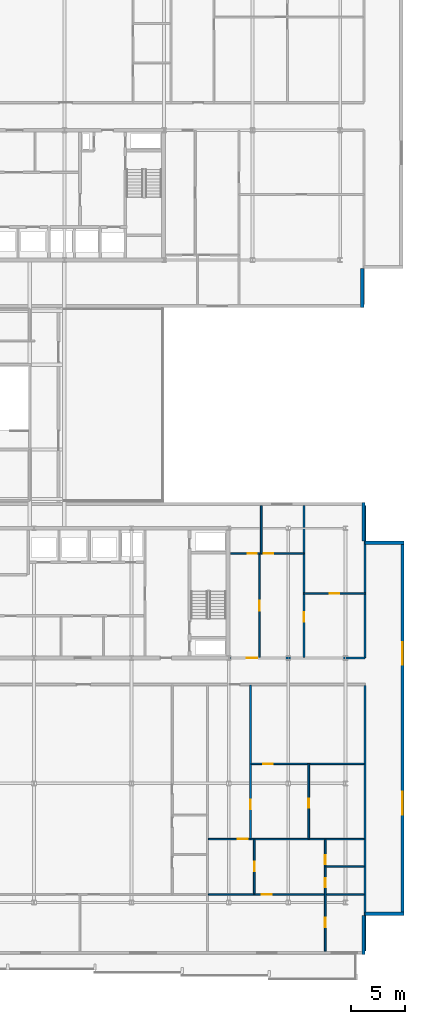
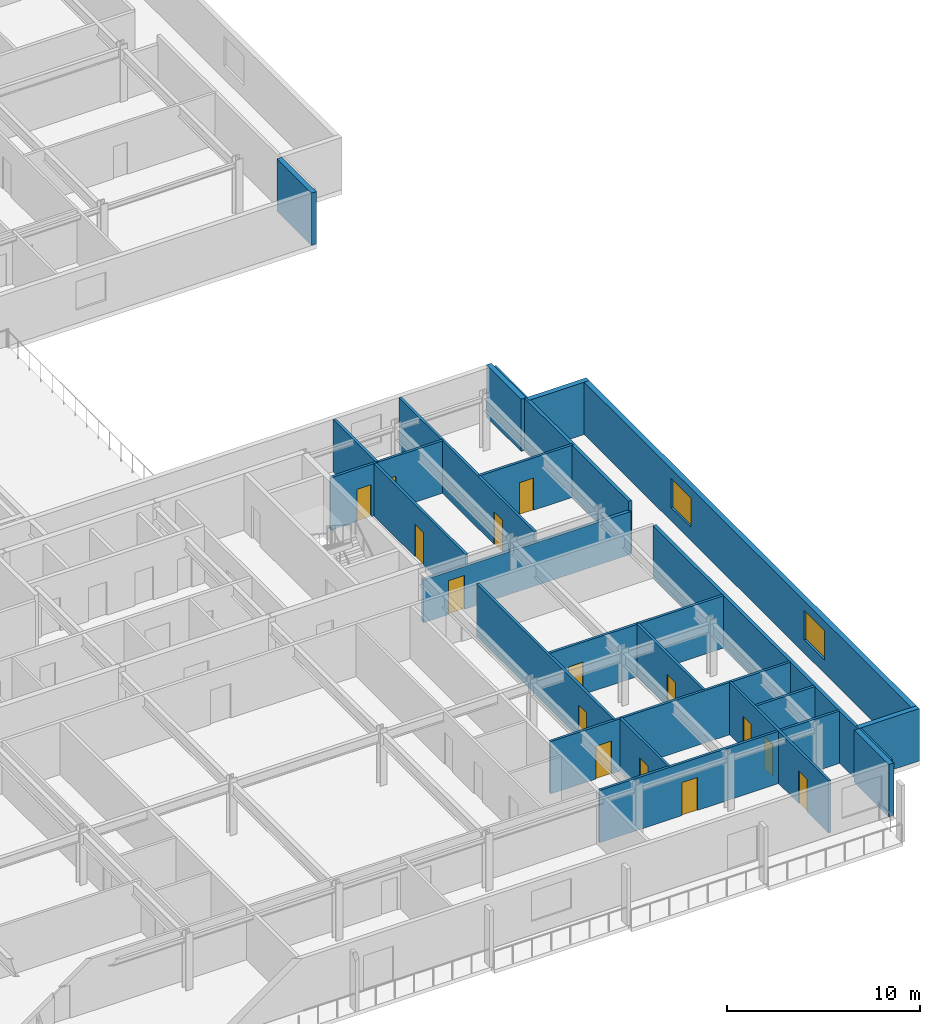
# One storey, part 16 of 28: 22 walls, 15 doors, 2 windows, 17 openings.
"""IFC4 building model written with IfcOpenShell, lengths in metres."""

from ifc_helpers import new_model, si_unit, direction, frame, frame_2d, origin, place, context, subcontext, project, spatial, rectangle, extrude, material, layer, layer_set, type_object, element, fill, save


model = new_model("IFC4")

# Units and contexts
model_context = context("Model", 3, precision=1e-05, world=origin(), true_north=direction((0.0, 1.0)))
body_context = subcontext(model_context, "Body", "Model", "MODEL_VIEW")
ifc_project = project(units=[si_unit("LENGTHUNIT", "METRE"), si_unit("AREAUNIT", "SQUARE_METRE"), si_unit("VOLUMEUNIT", "CUBIC_METRE"), si_unit("PLANEANGLEUNIT", "RADIAN"), si_unit("MASSUNIT", "GRAM", prefix="KILO")], contexts=[model_context])

# Site, building, storey
site_placement = place(None, origin())
site = spatial("IfcSite", under=ifc_project, at=site_placement, CompositionType="ELEMENT")
building_placement = place(site_placement, origin())
building = spatial("IfcBuilding", under=site, at=building_placement, Name="Korimba Cascade Residences", CompositionType="ELEMENT")
storey_placement = place(building_placement, frame((0.0, 0.0, 153.699951171875)))
storey = spatial("IfcBuildingStorey", under=building, at=storey_placement, Name="L44", CompositionType="ELEMENT", Elevation=153.699951171875)

# Walls
ifc_material_1 = material(Name="Precast concrete C40/50", Category="concrete")
ifc_layer_1 = layer(ifc_material_1, 0.300048828125)
ifc_layer_set_1 = layer_set([ifc_layer_1], Name="Precast concrete C40/50")
wall_type_1 = type_object("IfcWallType", Name="EW-STONE-300", PredefinedType="STANDARD", material=ifc_layer_set_1)
wall_1_placement = place(storey_placement, frame((130.449951171875, 50.800048828125, 0.0), z_axis=(0.0, 0.0, 1.0), x_axis=(0.0, 1.0, 0.0)))
element("IfcWall", 1, at=wall_1_placement, inside=storey, type_object=wall_type_1, Name="L44 T1 Perimeter Stone Wall E01", PredefinedType="STANDARD", context=body_context, shape_type="SweptSolid", body=[
    extrude(rectangle(XDim=3.599853515625, YDim=0.300048828125, at=frame_2d((1.7998046875, 0.0))), origin(), (0.0, 0.0, 1.0), 3.320068359375),
])
for number, where, z_axis, x_axis, name in (
    (2, (130.550048828125, -9.0, 0.0), (0.0, 0.0, 1.0), (0.0, 1.0, 0.0), "L44 T2 Perimeter Stone Wall E01"),
    (3, (130.699951171875, -5.25, 0.0), (0.0, 0.0, 1.0), (1.0, 0.0, 0.0), "L44 T2 Perimeter Stone Wall E02"),
):
    element("IfcWall", number, at=place(storey_placement, frame(where, z_axis=z_axis, x_axis=x_axis)), inside=storey, type_object=wall_type_1, Name=name, PredefinedType="STANDARD", context=body_context, shape_type="SweptSolid", body=[
        extrude(rectangle(XDim=3.60009765625, YDim=0.300048828125, at=frame_2d((1.800048828125, 0.0))), origin(), (0.0, 0.0, 1.0), 3.320068359375),
    ])

# Wall, openings, windows
wall_2_placement = place(storey_placement, frame((134.14990234375, -5.39990234375, 0.0), z_axis=(0.0, 0.0, 1.0), x_axis=(0.0, 1.0, 0.0)))
wall_2 = element("IfcWall", 4, at=wall_2_placement, inside=storey, type_object=wall_type_1, Name="L44 T2 Perimeter Stone Wall E03", PredefinedType="STANDARD", context=body_context, shape_type="SweptSolid", body=[
    extrude(rectangle(XDim=34.599853515625, YDim=0.300048828125, at=frame_2d((17.2998046875, 0.0))), origin(), (0.0, 0.0, 1.0), 3.320068359375),
])
opening_1_placement = place(wall_2_placement, frame((9.330078125, 0.0, 0.85009765625)))
opening_1 = element("IfcOpeningElement", 5, at=opening_1_placement, cuts=wall_2, Name="Opening W-03", PredefinedType="OPENING", context=body_context, shape_type="SweptSolid", body=[
    extrude(rectangle(XDim=2.10009765625, YDim=1.85009765625, at=frame_2d((1.050048828125, 0.925048828125))), frame((0.0, 0.16015625, 0.0), z_axis=(0.0, -1.0, 0.0), x_axis=(1.0, 0.0, 0.0)), (0.0, 0.0, 1.0), 0.320068359375),
])
opening_2_placement = place(wall_2_placement, frame((23.169921875, 0.0, 0.85009765625)))
opening_2 = element("IfcOpeningElement", 6, at=opening_2_placement, cuts=wall_2, Name="Opening W-03", PredefinedType="OPENING", context=body_context, shape_type="SweptSolid", body=[
    extrude(rectangle(XDim=2.10009765625, YDim=1.85009765625, at=frame_2d((1.050048828125, 0.925048828125))), frame((0.0, 0.16015625, 0.0), z_axis=(0.0, -1.0, 0.0), x_axis=(1.0, 0.0, 0.0)), (0.0, 0.0, 1.0), 0.320068359375),
])
ifc_material_2 = material(Name="Double-Glazed Aluminium Window", Category="aluminium")
window_type = type_object("IfcWindowType", Name="WIN-CRN-2100", PartitioningType="DOUBLE_PANEL_HORIZONTAL", PredefinedType="WINDOW", material=ifc_material_2)
window_1_placement = place(opening_1_placement, origin())
window_1 = element("IfcWindow", 7, at=window_1_placement, inside=storey, type_object=window_type, Name="L44 T2 End View Window 3.1", OverallHeight=1.85009765625, OverallWidth=2.10009765625, PartitioningType="DOUBLE_PANEL_HORIZONTAL", PredefinedType="WINDOW", context=body_context, shape_type="SweptSolid", body=[
    extrude(rectangle(XDim=2.10009765625, YDim=1.85009765625, at=frame_2d((1.050048828125, 0.925048828125))), frame((0.0, 0.030029296875, 0.0), z_axis=(0.0, -1.0, 0.0), x_axis=(1.0, 0.0, 0.0)), (0.0, 0.0, 1.0), 0.06005859375),
])
fill(opening_1, window_1)
window_2_placement = place(opening_2_placement, origin())
window_2 = element("IfcWindow", 8, at=window_2_placement, inside=storey, type_object=window_type, Name="L44 T2 End View Window 3.2", OverallHeight=1.85009765625, OverallWidth=2.10009765625, PartitioningType="DOUBLE_PANEL_HORIZONTAL", PredefinedType="WINDOW", context=body_context, shape_type="SweptSolid", body=[
    extrude(rectangle(XDim=2.10009765625, YDim=1.85009765625, at=frame_2d((1.050048828125, 0.925048828125))), frame((0.0, 0.030029296875, 0.0), z_axis=(0.0, -1.0, 0.0), x_axis=(1.0, 0.0, 0.0)), (0.0, 0.0, 1.0), 0.06005859375),
])
fill(opening_2, window_2)

# Walls
for number, where, z_axis, x_axis, name in (
    (9, (134.300048828125, 29.050048828125, 0.0), (0.0, 0.0, 1.0), (-1.0, 0.0, 0.0), "L44 T2 Perimeter Stone Wall E04"),
    (10, (130.550048828125, 29.199951171875, 0.0), (0.0, 0.0, 1.0), (0.0, 1.0, 0.0), "L44 T2 Perimeter Stone Wall E05"),
):
    element("IfcWall", number, at=place(storey_placement, frame(where, z_axis=z_axis, x_axis=x_axis)), inside=storey, type_object=wall_type_1, Name=name, PredefinedType="STANDARD", context=body_context, shape_type="SweptSolid", body=[
        extrude(rectangle(XDim=3.60009765625, YDim=0.300048828125, at=frame_2d((1.800048828125, 0.0))), origin(), (0.0, 0.0, 1.0), 3.320068359375),
    ])
ifc_layer_2 = layer(ifc_material_1, 0.199951171875)
ifc_layer_set_2 = layer_set([ifc_layer_2], Name="Precast concrete C40/50")
wall_type_2 = type_object("IfcWallType", Name="WAL-IT-200", PredefinedType="PARTITIONING", material=ifc_layer_set_2)
wall_3_placement = place(storey_placement, frame((130.699951171875, 18.39990234375, 0.0), z_axis=(0.0, 0.0, 1.0), x_axis=(0.0, 1.0, 0.0)))
element("IfcWall", 11, at=wall_3_placement, inside=storey, type_object=wall_type_2, Name="L44 Partition Wall WAL-L44-T2-FE-WR", PredefinedType="PARTITIONING", context=body_context, shape_type="SweptSolid", body=[
    extrude(rectangle(XDim=14.10009765625, YDim=0.199951171875, at=frame_2d((7.050048828125, 0.0))), origin(), (0.0, 0.0, 1.0), 3.320068359375),
])

# Wall, opening, door
wall_4_placement = place(storey_placement, frame((118.25, 18.39990234375, 0.0), z_axis=(0.0, 0.0, 1.0), x_axis=(1.0, 0.0, 0.0)))
wall_4 = element("IfcWall", 12, at=wall_4_placement, inside=storey, type_object=wall_type_2, Name="L44 Partition Wall WAL-L44-T2-FE-S", PredefinedType="PARTITIONING", context=body_context, shape_type="SweptSolid", body=[
    extrude(rectangle(XDim=12.449951171875, YDim=0.199951171875, at=frame_2d((6.22509765625, 0.0))), origin(), (0.0, 0.0, 1.0), 2.707763671875),
])
opening_3_placement = place(wall_4_placement, frame((1.510009765625, 0.0, 0.0)))
opening_3 = element("IfcOpeningElement", 13, at=opening_3_placement, cuts=wall_4, Name="Opening D-UN1", PredefinedType="OPENING", context=body_context, shape_type="SweptSolid", body=[
    extrude(rectangle(XDim=0.949951171875, YDim=2.14990234375, at=frame_2d((0.47509765625, 1.074951171875))), frame((0.0, 0.10986328125, 0.0), z_axis=(0.0, -1.0, 0.0), x_axis=(1.0, 0.0, 0.0)), (0.0, 0.0, 1.0), 0.219970703125),
])
ifc_material_3 = material(Name="Fire-Rated Hardwood Apartment Entrance Door", Category="wood")
door_type_1 = type_object("IfcDoorType", Name="DR-FD60-950", OperationType="NOTDEFINED", PredefinedType="DOOR", material=ifc_material_3)
door_1_placement = place(opening_3_placement, origin())
door_1 = element("IfcDoor", 14, at=door_1_placement, inside=storey, type_object=door_type_1, Name="L44-T2-FE Entrance Door", OperationType="SINGLE_SWING_RIGHT", OverallHeight=2.14990234375, OverallWidth=0.949951171875, PredefinedType="DOOR", context=body_context, shape_type="SweptSolid", body=[
    extrude(rectangle(XDim=0.949951171875, YDim=2.14990234375, at=frame_2d((0.47509765625, 1.074951171875))), frame((0.0, 0.02490234375, 0.0), z_axis=(0.0, -1.0, 0.0), x_axis=(1.0, 0.0, 0.0)), (0.0, 0.0, 1.0), 0.050048828125),
])
fill(opening_3, door_1)

# Wall
wall_5_placement = place(storey_placement, frame((130.699951171875, -8.699951171875, 0.0), z_axis=(0.0, 0.0, 1.0), x_axis=(0.0, 1.0, 0.0)))
element("IfcWall", 15, at=wall_5_placement, inside=storey, type_object=wall_type_2, Name="L44 Partition Wall WAL-L44-T2-BNDWR", PredefinedType="PARTITIONING", context=body_context, shape_type="SweptSolid", body=[
    extrude(rectangle(XDim=24.570068359375, YDim=0.199951171875, at=frame_2d((12.28515625, 0.0))), origin(), (0.0, 0.0, 1.0), 3.320068359375),
])

# Wall, opening, door
ifc_material_4 = material(Name="Insulated Acoustic Stud Partition", Category="gypsum")
ifc_layer_3 = layer(ifc_material_4, 0.14990234375)
ifc_layer_set_3 = layer_set([ifc_layer_3], Name="Insulated Acoustic Stud Partition")
wall_type_3 = type_object("IfcWallType", Name="WAL-PART-150", PredefinedType="PARTITIONING", material=ifc_layer_set_3)
wall_6_placement = place(storey_placement, frame((125.050048828125, 24.35009765625, 0.0), z_axis=(0.0, 0.0, 1.0), x_axis=(1.0, 0.0, 0.0)))
wall_6 = element("IfcWall", 16, at=wall_6_placement, inside=storey, type_object=wall_type_3, Name="L44 Partition Wall WAL-L44-T2-FE-STH", PredefinedType="PARTITIONING", context=body_context, shape_type="SweptSolid", body=[
    extrude(rectangle(XDim=5.64990234375, YDim=0.14990234375, at=frame_2d((2.824951171875, 0.0))), origin(), (0.0, 0.0, 1.0), 3.320068359375),
])
opening_4_placement = place(wall_6_placement, frame((2.405029296875, 0.0, 0.0)))
opening_4 = element("IfcOpeningElement", 17, at=opening_4_placement, cuts=wall_6, Name="Opening D-BT1", PredefinedType="OPENING", context=body_context, shape_type="SweptSolid", body=[
    extrude(rectangle(XDim=0.840087890625, YDim=2.0400390625, at=frame_2d((0.419921875, 1.02001953125))), frame((0.0, 0.0849609375, 0.0), z_axis=(0.0, -1.0, 0.0), x_axis=(1.0, 0.0, 0.0)), (0.0, 0.0, 1.0), 0.169921875),
])
ifc_material_5 = material(Name="Moisture-Resistant Bathroom Timber Door", Category="wood")
door_type_2 = type_object("IfcDoorType", Name="DR-INT-850", OperationType="NOTDEFINED", PredefinedType="DOOR", material=ifc_material_5)
door_2_placement = place(opening_4_placement, origin())
door_2 = element("IfcDoor", 18, at=door_2_placement, inside=storey, type_object=door_type_2, Name="L44-T2-FE Dressing Store Door", OperationType="SINGLE_SWING_LEFT", OverallHeight=2.0400390625, OverallWidth=0.840087890625, PredefinedType="DOOR", context=body_context, shape_type="SweptSolid", body=[
    extrude(rectangle(XDim=0.840087890625, YDim=2.0400390625, at=frame_2d((0.419921875, 1.02001953125))), frame((0.0, 0.02490234375, 0.0), z_axis=(0.0, -1.0, 0.0), x_axis=(1.0, 0.0, 0.0)), (0.0, 0.0, 1.0), 0.050048828125),
])
fill(opening_4, door_2)

wall_7_placement = place(storey_placement, frame((125.050048828125, 18.449951171875, 0.0), z_axis=(0.0, 0.0, 1.0), x_axis=(0.0, 1.0, 0.0)))
wall_7 = element("IfcWall", 19, at=wall_7_placement, inside=storey, type_object=wall_type_3, Name="L44 Partition Wall WAL-L44-T2-FE-STV", PredefinedType="PARTITIONING", context=body_context, shape_type="SweptSolid", body=[
    extrude(rectangle(XDim=14.050048828125, YDim=0.14990234375, at=frame_2d((7.02490234375, 0.0))), origin(), (0.0, 0.0, 1.0), 3.320068359375),
])
opening_5_placement = place(wall_7_placement, frame((3.320068359375, 0.0, 0.0)))
opening_5 = element("IfcOpeningElement", 20, at=opening_5_placement, cuts=wall_7, Name="Opening D-IN2", PredefinedType="OPENING", context=body_context, shape_type="SweptSolid", body=[
    extrude(rectangle(XDim=0.8798828125, YDim=2.06005859375, at=frame_2d((0.43994140625, 1.030029296875))), frame((0.0, 0.0849609375, 0.0), z_axis=(0.0, -1.0, 0.0), x_axis=(1.0, 0.0, 0.0)), (0.0, 0.0, 1.0), 0.169921875),
])
ifc_material_6 = material(Name="Acoustic Timber Bedroom Door", Category="wood")
door_type_3 = type_object("IfcDoorType", Name="DR-INT-880", OperationType="NOTDEFINED", PredefinedType="DOOR", material=ifc_material_6)
door_3_placement = place(opening_5_placement, origin())
door_3 = element("IfcDoor", 21, at=door_3_placement, inside=storey, type_object=door_type_3, Name="L44-T2-FE Study Door", OperationType="SINGLE_SWING_RIGHT", OverallHeight=2.06005859375, OverallWidth=0.8798828125, PredefinedType="DOOR", context=body_context, shape_type="SweptSolid", body=[
    extrude(rectangle(XDim=0.8798828125, YDim=2.06005859375, at=frame_2d((0.43994140625, 1.030029296875))), frame((0.0, 0.02490234375, 0.0), z_axis=(0.0, -1.0, 0.0), x_axis=(1.0, 0.0, 0.0)), (0.0, 0.0, 1.0), 0.050048828125),
])
fill(opening_5, door_3)

wall_8_placement = place(storey_placement, frame((120.929931640625, 18.449951171875, 0.0), z_axis=(0.0, 0.0, 1.0), x_axis=(0.0, 1.0, 0.0)))
wall_8 = element("IfcWall", 22, at=wall_8_placement, inside=storey, type_object=wall_type_3, Name="L44 Partition Wall WAL-L44-T2-FE-VS", PredefinedType="PARTITIONING", context=body_context, shape_type="SweptSolid", body=[
    extrude(rectangle(XDim=9.60009765625, YDim=0.14990234375, at=frame_2d((4.800048828125, 0.0))), origin(), (0.0, 0.0, 1.0), 3.320068359375),
])
opening_6_placement = place(wall_8_placement, frame((4.340087890625, 0.0, 0.0)))
opening_6 = element("IfcOpeningElement", 23, at=opening_6_placement, cuts=wall_8, Name="Opening D-IN1", PredefinedType="OPENING", context=body_context, shape_type="SweptSolid", body=[
    extrude(rectangle(XDim=0.919921875, YDim=2.080078125, at=frame_2d((0.4599609375, 1.0400390625))), frame((0.0, 0.0849609375, 0.0), z_axis=(0.0, -1.0, 0.0), x_axis=(1.0, 0.0, 0.0)), (0.0, 0.0, 1.0), 0.169921875),
])
ifc_material_7 = material(Name="Acoustic Timber Living Door", Category="wood")
door_type_4 = type_object("IfcDoorType", Name="DR-INT-920", OperationType="NOTDEFINED", PredefinedType="DOOR", material=ifc_material_7)
door_4_placement = place(opening_6_placement, origin())
door_4 = element("IfcDoor", 24, at=door_4_placement, inside=storey, type_object=door_type_4, Name="L44-T2-FE Living Door", OperationType="SINGLE_SWING_LEFT", OverallHeight=2.080078125, OverallWidth=0.919921875, PredefinedType="DOOR", context=body_context, shape_type="SweptSolid", body=[
    extrude(rectangle(XDim=0.919921875, YDim=2.080078125, at=frame_2d((0.4599609375, 1.0400390625))), frame((0.0, 0.02490234375, 0.0), z_axis=(0.0, -1.0, 0.0), x_axis=(1.0, 0.0, 0.0)), (0.0, 0.0, 1.0), 0.050048828125),
])
fill(opening_6, door_4)

# Wall
wall_9_placement = place(storey_placement, frame((121.10009765625, 28.050048828125, 0.0), z_axis=(0.0, 0.0, 1.0), x_axis=(0.0, 1.0, 0.0)))
element("IfcWall", 25, at=wall_9_placement, inside=storey, type_object=wall_type_3, Name="L44 Partition Wall WAL-L44-T2-FE-VN", PredefinedType="PARTITIONING", context=body_context, shape_type="SweptSolid", body=[
    extrude(rectangle(XDim=4.449951171875, YDim=0.14990234375, at=frame_2d((2.22509765625, 0.0))), origin(), (0.0, 0.0, 1.0), 3.320068359375),
])

# Wall, openings, doors
wall_10_placement = place(storey_placement, frame((118.27001953125, 28.050048828125, 0.0), z_axis=(0.0, 0.0, 1.0), x_axis=(1.0, 0.0, 0.0)))
wall_10 = element("IfcWall", 26, at=wall_10_placement, inside=storey, type_object=wall_type_3, Name="L44 Partition Wall WAL-L44-T2-FE-H", PredefinedType="PARTITIONING", context=body_context, shape_type="SweptSolid", body=[
    extrude(rectangle(XDim=6.760009765625, YDim=0.14990234375, at=frame_2d((3.3798828125, 0.0))), origin(), (0.0, 0.0, 1.0), 3.320068359375),
])
opening_7_placement = place(wall_10_placement, frame((1.58740234375, 0.0, 0.0)))
opening_7 = element("IfcOpeningElement", 27, at=opening_7_placement, cuts=wall_10, Name="Opening D-BT1", PredefinedType="OPENING", context=body_context, shape_type="SweptSolid", body=[
    extrude(rectangle(XDim=0.840087890625, YDim=2.0400390625, at=frame_2d((0.419921875, 1.02001953125))), frame((0.0, 0.0849609375, 0.0), z_axis=(0.0, -1.0, 0.0), x_axis=(1.0, 0.0, 0.0)), (0.0, 0.0, 1.0), 0.169921875),
])
opening_8_placement = place(wall_10_placement, frame((3.0419921875, 0.0, 0.0)))
opening_8 = element("IfcOpeningElement", 28, at=opening_8_placement, cuts=wall_10, Name="Opening D-IN2", PredefinedType="OPENING", context=body_context, shape_type="SweptSolid", body=[
    extrude(rectangle(XDim=0.8798828125, YDim=2.06005859375, at=frame_2d((0.43994140625, 1.030029296875))), frame((0.0, 0.0849609375, 0.0), z_axis=(0.0, -1.0, 0.0), x_axis=(1.0, 0.0, 0.0)), (0.0, 0.0, 1.0), 0.169921875),
])
door_5_placement = place(opening_7_placement, origin())
door_5 = element("IfcDoor", 29, at=door_5_placement, inside=storey, type_object=door_type_2, Name="L44-T2-FE Bathroom Door", OperationType="SINGLE_SWING_RIGHT", OverallHeight=2.0400390625, OverallWidth=0.840087890625, PredefinedType="DOOR", context=body_context, shape_type="SweptSolid", body=[
    extrude(rectangle(XDim=0.840087890625, YDim=2.0400390625, at=frame_2d((0.419921875, 1.02001953125))), frame((0.0, 0.02490234375, 0.0), z_axis=(0.0, -1.0, 0.0), x_axis=(1.0, 0.0, 0.0)), (0.0, 0.0, 1.0), 0.050048828125),
])
fill(opening_7, door_5)
door_6_placement = place(opening_8_placement, origin())
door_6 = element("IfcDoor", 30, at=door_6_placement, inside=storey, type_object=door_type_3, Name="L44-T2-FE Bedroom Door", OperationType="SINGLE_SWING_LEFT", OverallHeight=2.06005859375, OverallWidth=0.8798828125, PredefinedType="DOOR", context=body_context, shape_type="SweptSolid", body=[
    extrude(rectangle(XDim=0.8798828125, YDim=2.06005859375, at=frame_2d((0.43994140625, 1.030029296875))), frame((0.0, 0.02490234375, 0.0), z_axis=(0.0, -1.0, 0.0), x_axis=(1.0, 0.0, 0.0)), (0.0, 0.0, 1.0), 0.050048828125),
])
fill(opening_8, door_6)

# Wall, opening, door
wall_11_placement = place(storey_placement, frame((125.493896484375, 1.68994140625, 0.0), z_axis=(0.0, 0.0, 1.0), x_axis=(0.0, 1.0, 0.0)))
wall_11 = element("IfcWall", 31, at=wall_11_placement, inside=storey, type_object=wall_type_3, Name="L44 Partition Wall WAL-L44-T2-U03-FMV", PredefinedType="PARTITIONING", context=body_context, shape_type="SweptSolid", body=[
    extrude(rectangle(XDim=6.920166015625, YDim=0.14990234375, at=frame_2d((3.4599609375, 0.0))), origin(), (0.0, 0.0, 1.0), 3.320068359375),
])
opening_9_placement = place(wall_11_placement, frame((2.870849609375, 0.0, 0.0)))
opening_9 = element("IfcOpeningElement", 32, at=opening_9_placement, cuts=wall_11, Name="Opening D-BT1", PredefinedType="OPENING", context=body_context, shape_type="SweptSolid", body=[
    extrude(rectangle(XDim=0.840087890625, YDim=2.0400390625, at=frame_2d((0.419921875, 1.02001953125))), frame((0.0, 0.0849609375, 0.0), z_axis=(0.0, -1.0, 0.0), x_axis=(1.0, 0.0, 0.0)), (0.0, 0.0, 1.0), 0.169921875),
])
door_7_placement = place(opening_9_placement, origin())
door_7 = element("IfcDoor", 33, at=door_7_placement, inside=storey, type_object=door_type_2, Name="L44-T2-U03 Wardrobe Door", OperationType="SINGLE_SWING_RIGHT", OverallHeight=2.0400390625, OverallWidth=0.840087890625, PredefinedType="DOOR", context=body_context, shape_type="SweptSolid", body=[
    extrude(rectangle(XDim=0.840087890625, YDim=2.0400390625, at=frame_2d((0.419921875, 1.02001953125))), frame((0.0, 0.02490234375, 0.0), z_axis=(0.0, -1.0, 0.0), x_axis=(1.0, 0.0, 0.0)), (0.0, 0.0, 1.0), 0.050048828125),
])
fill(opening_9, door_7)

wall_12_placement = place(storey_placement, frame((120.16796875, 8.610107421875, 0.0), z_axis=(0.0, 0.0, 1.0), x_axis=(1.0, 0.0, 0.0)))
wall_12 = element("IfcWall", 34, at=wall_12_placement, inside=storey, type_object=wall_type_3, Name="L44 Partition Wall WAL-L44-T2-U03-FMH", PredefinedType="PARTITIONING", context=body_context, shape_type="SweptSolid", body=[
    extrude(rectangle(XDim=10.4521484375, YDim=0.14990234375, at=frame_2d((5.22607421875, 0.0))), origin(), (0.0, 0.0, 1.0), 3.320068359375),
])
opening_10_placement = place(wall_12_placement, frame((1.125244140625, 0.0, 0.0)))
opening_10 = element("IfcOpeningElement", 35, at=opening_10_placement, cuts=wall_12, Name="Opening D-IN2", PredefinedType="OPENING", context=body_context, shape_type="SweptSolid", body=[
    extrude(rectangle(XDim=0.8798828125, YDim=2.06005859375, at=frame_2d((0.43994140625, 1.030029296875))), frame((0.0, 0.0849609375, 0.0), z_axis=(0.0, -1.0, 0.0), x_axis=(1.0, 0.0, 0.0)), (0.0, 0.0, 1.0), 0.169921875),
])
door_8_placement = place(opening_10_placement, origin())
door_8 = element("IfcDoor", 36, at=door_8_placement, inside=storey, type_object=door_type_3, Name="L44-T2-U03 Library Salon Door", OperationType="SINGLE_SWING_LEFT", OverallHeight=2.06005859375, OverallWidth=0.8798828125, PredefinedType="DOOR", context=body_context, shape_type="SweptSolid", body=[
    extrude(rectangle(XDim=0.8798828125, YDim=2.06005859375, at=frame_2d((0.43994140625, 1.030029296875))), frame((0.0, 0.02490234375, 0.0), z_axis=(0.0, -1.0, 0.0), x_axis=(1.0, 0.0, 0.0)), (0.0, 0.0, 1.0), 0.050048828125),
])
fill(opening_10, door_8)

wall_13_placement = place(storey_placement, frame((120.10791015625, 1.68994140625, 0.0), z_axis=(0.0, 0.0, 1.0), x_axis=(0.0, 1.0, 0.0)))
wall_13 = element("IfcWall", 37, at=wall_13_placement, inside=storey, type_object=wall_type_3, Name="L44 Partition Wall WAL-L44-T2-U03-FV", PredefinedType="PARTITIONING", context=body_context, shape_type="SweptSolid", body=[
    extrude(rectangle(XDim=14.199951171875, YDim=0.14990234375, at=frame_2d((7.10009765625, 0.0))), origin(), (0.0, 0.0, 1.0), 3.320068359375),
])
opening_11_placement = place(wall_13_placement, frame((2.74365234375, 0.0, 0.0)))
opening_11 = element("IfcOpeningElement", 38, at=opening_11_placement, cuts=wall_13, Name="Opening D-IN2", PredefinedType="OPENING", context=body_context, shape_type="SweptSolid", body=[
    extrude(rectangle(XDim=0.8798828125, YDim=2.06005859375, at=frame_2d((0.43994140625, 1.030029296875))), frame((0.0, 0.0849609375, 0.0), z_axis=(0.0, -1.0, 0.0), x_axis=(1.0, 0.0, 0.0)), (0.0, 0.0, 1.0), 0.169921875),
])
door_9_placement = place(opening_11_placement, origin())
door_9 = element("IfcDoor", 39, at=door_9_placement, inside=storey, type_object=door_type_3, Name="L44-T2-U03 Media Lounge Door", OperationType="SINGLE_SWING_RIGHT", OverallHeight=2.06005859375, OverallWidth=0.8798828125, PredefinedType="DOOR", context=body_context, shape_type="SweptSolid", body=[
    extrude(rectangle(XDim=0.8798828125, YDim=2.06005859375, at=frame_2d((0.43994140625, 1.030029296875))), frame((0.0, 0.02490234375, 0.0), z_axis=(0.0, -1.0, 0.0), x_axis=(1.0, 0.0, 0.0)), (0.0, 0.0, 1.0), 0.050048828125),
])
fill(opening_11, door_9)

wall_14_placement = place(storey_placement, frame((120.4580078125, -3.389892578125, 0.0), z_axis=(0.0, 0.0, 1.0), x_axis=(0.0, 1.0, 0.0)))
wall_14 = element("IfcWall", 40, at=wall_14_placement, inside=storey, type_object=wall_type_3, Name="L44 Partition Wall WAL-L44-T2-U03-VDIN", PredefinedType="PARTITIONING", context=body_context, shape_type="SweptSolid", body=[
    extrude(rectangle(XDim=5.0, YDim=0.14990234375, at=frame_2d((2.5, 0.0))), origin(), (0.0, 0.0, 1.0), 3.320068359375),
])
opening_12_placement = place(wall_14_placement, frame((2.06005859375, 0.0, 0.0)))
opening_12 = element("IfcOpeningElement", 41, at=opening_12_placement, cuts=wall_14, Name="Opening D-IN2", PredefinedType="OPENING", context=body_context, shape_type="SweptSolid", body=[
    extrude(rectangle(XDim=0.8798828125, YDim=2.06005859375, at=frame_2d((0.43994140625, 1.030029296875))), frame((0.0, 0.0849609375, 0.0), z_axis=(0.0, -1.0, 0.0), x_axis=(1.0, 0.0, 0.0)), (0.0, 0.0, 1.0), 0.169921875),
])
door_10_placement = place(opening_12_placement, origin())
door_10 = element("IfcDoor", 42, at=door_10_placement, inside=storey, type_object=door_type_3, Name="L44-T2-U03 Dining Room Door", OperationType="SINGLE_SWING_LEFT", OverallHeight=2.06005859375, OverallWidth=0.8798828125, PredefinedType="DOOR", context=body_context, shape_type="SweptSolid", body=[
    extrude(rectangle(XDim=0.8798828125, YDim=2.06005859375, at=frame_2d((0.43994140625, 1.030029296875))), frame((0.0, 0.02490234375, 0.0), z_axis=(0.0, -1.0, 0.0), x_axis=(1.0, 0.0, 0.0)), (0.0, 0.0, 1.0), 0.050048828125),
])
fill(opening_12, door_10)

# Wall
wall_15_placement = place(storey_placement, frame((127.080078125, -0.889892578125, 0.0), z_axis=(0.0, 0.0, 1.0), x_axis=(1.0, 0.0, 0.0)))
element("IfcWall", 43, at=wall_15_placement, inside=storey, type_object=wall_type_3, Name="L44 Partition Wall WAL-L44-T2-U03-BLDIV", PredefinedType="PARTITIONING", context=body_context, shape_type="SweptSolid", body=[
    extrude(rectangle(XDim=3.5400390625, YDim=0.14990234375, at=frame_2d((1.77001953125, 0.0))), origin(), (0.0, 0.0, 1.0), 3.320068359375),
])

# Wall, openings, doors
wall_16_placement = place(storey_placement, frame((127.02001953125, -8.699951171875, 0.0), z_axis=(0.0, 0.0, 1.0), x_axis=(0.0, 1.0, 0.0)))
wall_16 = element("IfcWall", 44, at=wall_16_placement, inside=storey, type_object=wall_type_3, Name="L44 Partition Wall WAL-L44-T2-U03-V1", PredefinedType="PARTITIONING", context=body_context, shape_type="SweptSolid", body=[
    extrude(rectangle(XDim=10.31005859375, YDim=0.14990234375, at=frame_2d((5.155029296875, 0.0))), origin(), (0.0, 0.0, 1.0), 3.320068359375),
])
opening_13_placement = place(wall_16_placement, frame((5.897216796875, 0.0, 0.0)))
opening_13 = element("IfcOpeningElement", 45, at=opening_13_placement, cuts=wall_16, Name="Opening D-BT1", PredefinedType="OPENING", context=body_context, shape_type="SweptSolid", body=[
    extrude(rectangle(XDim=0.840087890625, YDim=2.0400390625, at=frame_2d((0.419921875, 1.02001953125))), frame((0.0, 0.0849609375, 0.0), z_axis=(0.0, -1.0, 0.0), x_axis=(1.0, 0.0, 0.0)), (0.0, 0.0, 1.0), 0.169921875),
])
opening_14_placement = place(wall_16_placement, frame((8.03955078125, 0.0, 0.0)))
opening_14 = element("IfcOpeningElement", 46, at=opening_14_placement, cuts=wall_16, Name="Opening D-BT1", PredefinedType="OPENING", context=body_context, shape_type="SweptSolid", body=[
    extrude(rectangle(XDim=0.840087890625, YDim=2.0400390625, at=frame_2d((0.419921875, 1.02001953125))), frame((0.0, 0.0849609375, 0.0), z_axis=(0.0, -1.0, 0.0), x_axis=(1.0, 0.0, 0.0)), (0.0, 0.0, 1.0), 0.169921875),
])
opening_15_placement = place(wall_16_placement, frame((2.2099609375, 0.0, 0.0)))
opening_15 = element("IfcOpeningElement", 47, at=opening_15_placement, cuts=wall_16, Name="Opening D-IN2", PredefinedType="OPENING", context=body_context, shape_type="SweptSolid", body=[
    extrude(rectangle(XDim=0.8798828125, YDim=2.06005859375, at=frame_2d((0.43994140625, 1.030029296875))), frame((0.0, 0.0849609375, 0.0), z_axis=(0.0, -1.0, 0.0), x_axis=(1.0, 0.0, 0.0)), (0.0, 0.0, 1.0), 0.169921875),
])
door_11_placement = place(opening_13_placement, origin())
door_11 = element("IfcDoor", 48, at=door_11_placement, inside=storey, type_object=door_type_2, Name="L44-T2-U03 Bathroom Door", OperationType="SINGLE_SWING_RIGHT", OverallHeight=2.0400390625, OverallWidth=0.840087890625, PredefinedType="DOOR", context=body_context, shape_type="SweptSolid", body=[
    extrude(rectangle(XDim=0.840087890625, YDim=2.0400390625, at=frame_2d((0.419921875, 1.02001953125))), frame((0.0, 0.02490234375, 0.0), z_axis=(0.0, -1.0, 0.0), x_axis=(1.0, 0.0, 0.0)), (0.0, 0.0, 1.0), 0.050048828125),
])
fill(opening_13, door_11)
door_12_placement = place(opening_14_placement, origin())
door_12 = element("IfcDoor", 49, at=door_12_placement, inside=storey, type_object=door_type_2, Name="L44-T2-U03 Laundry Door", OperationType="SINGLE_SWING_LEFT", OverallHeight=2.0400390625, OverallWidth=0.840087890625, PredefinedType="DOOR", context=body_context, shape_type="SweptSolid", body=[
    extrude(rectangle(XDim=0.840087890625, YDim=2.0400390625, at=frame_2d((0.419921875, 1.02001953125))), frame((0.0, 0.02490234375, 0.0), z_axis=(0.0, -1.0, 0.0), x_axis=(1.0, 0.0, 0.0)), (0.0, 0.0, 1.0), 0.050048828125),
])
fill(opening_14, door_12)
door_13_placement = place(opening_15_placement, origin())
door_13 = element("IfcDoor", 50, at=door_13_placement, inside=storey, type_object=door_type_3, Name="L44-T2-U03 Bedroom 1 Door", OperationType="SINGLE_SWING_RIGHT", OverallHeight=2.06005859375, OverallWidth=0.8798828125, PredefinedType="DOOR", context=body_context, shape_type="SweptSolid", body=[
    extrude(rectangle(XDim=0.8798828125, YDim=2.06005859375, at=frame_2d((0.43994140625, 1.030029296875))), frame((0.0, 0.02490234375, 0.0), z_axis=(0.0, -1.0, 0.0), x_axis=(1.0, 0.0, 0.0)), (0.0, 0.0, 1.0), 0.050048828125),
])
fill(opening_15, door_13)

# Wall, opening, door
wall_17_placement = place(storey_placement, frame((116.218017578125, 1.64990234375, 0.0), z_axis=(0.0, 0.0, 1.0), x_axis=(1.0, 0.0, 0.0)))
wall_17 = element("IfcWall", 51, at=wall_17_placement, inside=storey, type_object=wall_type_3, Name="L44 Partition Wall WAL-L44-T2-U03-MW", PredefinedType="PARTITIONING", context=body_context, shape_type="SweptSolid", body=[
    extrude(rectangle(XDim=14.402099609375, YDim=0.14990234375, at=frame_2d((7.201171875, 0.0))), origin(), (0.0, 0.0, 1.0), 3.320068359375),
])
opening_16_placement = place(wall_17_placement, frame((2.719970703125, 0.0, 0.0)))
opening_16 = element("IfcOpeningElement", 52, at=opening_16_placement, cuts=wall_17, Name="Opening D-IN1", PredefinedType="OPENING", context=body_context, shape_type="SweptSolid", body=[
    extrude(rectangle(XDim=0.919921875, YDim=2.080078125, at=frame_2d((0.4599609375, 1.0400390625))), frame((0.0, 0.0849609375, 0.0), z_axis=(0.0, -1.0, 0.0), x_axis=(1.0, 0.0, 0.0)), (0.0, 0.0, 1.0), 0.169921875),
])
door_14_placement = place(opening_16_placement, origin())
door_14 = element("IfcDoor", 53, at=door_14_placement, inside=storey, type_object=door_type_4, Name="L44-T2-U03 Kitchen Archway Door", OperationType="SINGLE_SWING_LEFT", OverallHeight=2.080078125, OverallWidth=0.919921875, PredefinedType="DOOR", context=body_context, shape_type="SweptSolid", body=[
    extrude(rectangle(XDim=0.919921875, YDim=2.080078125, at=frame_2d((0.4599609375, 1.0400390625))), frame((0.0, 0.02490234375, 0.0), z_axis=(0.0, -1.0, 0.0), x_axis=(1.0, 0.0, 0.0)), (0.0, 0.0, 1.0), 0.050048828125),
])
fill(opening_16, door_14)

wall_18_placement = place(storey_placement, frame((116.218017578125, -3.449951171875, 0.0), z_axis=(0.0, 0.0, 1.0), x_axis=(1.0, 0.0, 0.0)))
wall_18 = element("IfcWall", 54, at=wall_18_placement, inside=storey, type_object=wall_type_3, Name="L44 Partition Wall WAL-L44-T2-U03-HZ", PredefinedType="PARTITIONING", context=body_context, shape_type="SweptSolid", body=[
    extrude(rectangle(XDim=14.402099609375, YDim=0.14990234375, at=frame_2d((7.201171875, 0.0))), origin(), (0.0, 0.0, 1.0), 3.320068359375),
])
opening_17_placement = place(wall_18_placement, frame((4.930908203125, 0.0, 0.0)))
opening_17 = element("IfcOpeningElement", 55, at=opening_17_placement, cuts=wall_18, Name="Opening D-IN0", PredefinedType="OPENING", context=body_context, shape_type="SweptSolid", body=[
    extrude(rectangle(XDim=0.93994140625, YDim=2.10009765625, at=frame_2d((0.469970703125, 1.050048828125))), frame((0.0, 0.0849609375, 0.0), z_axis=(0.0, -1.0, 0.0), x_axis=(1.0, 0.0, 0.0)), (0.0, 0.0, 1.0), 0.169921875),
])
ifc_material_8 = material(Name="Acoustic Timber Living Archway Door", Category="wood")
door_type_5 = type_object("IfcDoorType", Name="DR-INT-950", OperationType="NOTDEFINED", PredefinedType="DOOR", material=ifc_material_8)
door_15_placement = place(opening_17_placement, origin())
door_15 = element("IfcDoor", 56, at=door_15_placement, inside=storey, type_object=door_type_5, Name="L44-T2-U03 Living Archway Door", OperationType="SINGLE_SWING_RIGHT", OverallHeight=2.10009765625, OverallWidth=0.93994140625, PredefinedType="DOOR", context=body_context, shape_type="SweptSolid", body=[
    extrude(rectangle(XDim=0.93994140625, YDim=2.10009765625, at=frame_2d((0.469970703125, 1.050048828125))), frame((0.0, 0.02490234375, 0.0), z_axis=(0.0, -1.0, 0.0), x_axis=(1.0, 0.0, 0.0)), (0.0, 0.0, 1.0), 0.050048828125),
])
fill(opening_17, door_15)

save(model, "model.ifc")
